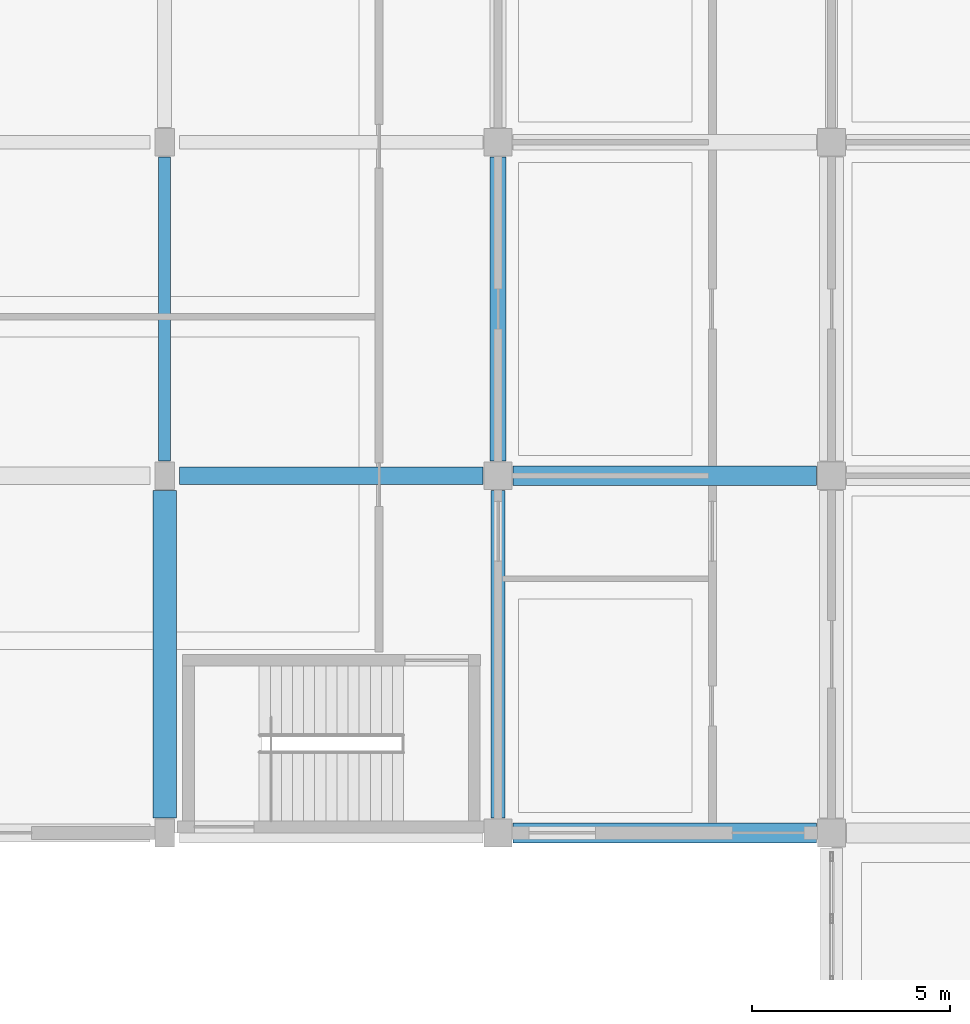
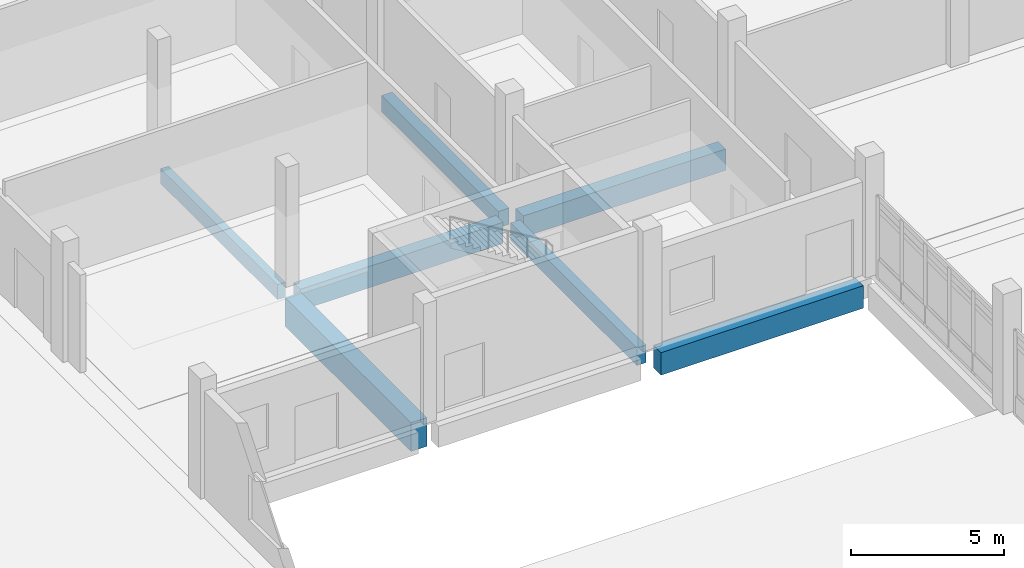
# One storey, part 12 of 95: 7 beams.
"""IFC4 building model written with IfcOpenShell, lengths in metres."""

import ifcopenshell
import ifcopenshell.guid

model = None  # the IFC model being written
_history = None  # IfcOwnerHistory: only IFC2X3 demands one
_inside = {}  # id of a spatial element -> (the spatial element, [elements in it])
_under = {}  # id of a project, library or spatial element -> (it, [spatial elements below it])
_declared = {}  # id of a project -> (the project, [libraries it declares])
_typed = {}  # id of a type object -> (the type object, [elements of that type])
_made_of = {}  # id of a material, layer set ... -> (it, [elements and type objects made of it])


def new_model(schema):
    """Start an empty IFC model of exactly this schema.

    Asked for "IFC4X3", IfcOpenShell would pick the latest addendum, in which some entities
    have other attributes; the version numbers below select the first issue.
    IFC2X3 requires an IfcOwnerHistory on every rooted entity: one is made here for all.
    """
    global model, _history
    if schema == "IFC4X3":
        model = ifcopenshell.file(schema_version=(4, 3, 0, 0))
    else:
        model = ifcopenshell.file(schema=schema)
    _inside.clear()
    _under.clear()
    _declared.clear()
    _typed.clear()
    _made_of.clear()
    _history = None
    if model.schema == "IFC2X3":
        org = make("IfcOrganization", Name="unknown")
        user = make(
            "IfcPersonAndOrganization",
            ThePerson=make("IfcPerson", FamilyName="unknown"),
            TheOrganization=org,
        )
        app = make(
            "IfcApplication",
            ApplicationDeveloper=org,
            Version="unknown",
            ApplicationFullName="unknown",
            ApplicationIdentifier="unknown",
        )
        _history = make(
            "IfcOwnerHistory",
            OwningUser=user,
            OwningApplication=app,
            ChangeAction="ADDED",
            CreationDate=0,
        )
    return model


def make(cls, **values):
    """One entity of the class cls with the attributes given. An attribute that is None is left unset."""
    return model.create_entity(
        cls, **{name: value for name, value in values.items() if value is not None}
    )


def rooted(cls, **values):
    """An entity with a GlobalId (a new one), such as an element, a storey or a relation."""
    return make(cls, GlobalId=ifcopenshell.guid.new(), OwnerHistory=_history, **values)


def si_unit(unit_type, name, prefix=None):
    """IfcSIUnit, for example si_unit("LENGTHUNIT", "METRE", prefix="MILLI")."""
    return make("IfcSIUnit", UnitType=unit_type, Prefix=prefix, Name=name)


def assignment(units):
    """IfcUnitAssignment: the units of a project."""
    return None if units is None else make("IfcUnitAssignment", Units=units)


def point(xyz):
    """IfcCartesianPoint."""
    return None if xyz is None else make("IfcCartesianPoint", Coordinates=xyz)


def direction(xyz):
    """IfcDirection."""
    return None if xyz is None else make("IfcDirection", DirectionRatios=xyz)


def frame(location, z_axis=None, x_axis=None):
    """IfcAxis2Placement3D, a coordinate frame: its origin and axes. An axis left out is left unset."""
    return make(
        "IfcAxis2Placement3D",
        Location=point(location),
        Axis=direction(z_axis),
        RefDirection=direction(x_axis),
    )


def frame_2d(location, x_axis=None):
    """IfcAxis2Placement2D, a coordinate frame in the plane: its origin and x axis."""
    return make(
        "IfcAxis2Placement2D", Location=point(location), RefDirection=direction(x_axis)
    )


def origin():
    """The frame at (0, 0, 0) with its axes left unset."""
    return frame((0.0, 0.0, 0.0))


def origin_2d():
    """The frame at (0, 0) in the plane with its x axis left unset."""
    return frame_2d((0.0, 0.0))


def place(relative_to, where):
    """IfcLocalPlacement: puts the frame where relative to a parent placement (None: the world)."""
    return make(
        "IfcLocalPlacement", PlacementRelTo=relative_to, RelativePlacement=where
    )


def context(
    kind, dimensions, precision=None, world=None, true_north=None, identifier=None
):
    """IfcGeometricRepresentationContext, for example the 3D "Model" context."""
    return make(
        "IfcGeometricRepresentationContext",
        ContextIdentifier=identifier,
        ContextType=kind,
        CoordinateSpaceDimension=dimensions,
        Precision=precision,
        WorldCoordinateSystem=world,
        TrueNorth=true_north,
    )


def subcontext(parent, identifier, kind, view, scale=None):
    """IfcGeometricRepresentationSubContext, for example "Body" below "Model"."""
    return make(
        "IfcGeometricRepresentationSubContext",
        ContextIdentifier=identifier,
        ContextType=kind,
        ParentContext=parent,
        TargetScale=scale,
        TargetView=view,
    )


def project(units=None, contexts=None):
    """IfcProject with its units and contexts."""
    return rooted(
        "IfcProject",
        Name="project",
        RepresentationContexts=contexts,
        UnitsInContext=assignment(units),
    )


def spatial(cls, under=None, at=None, **own):
    """A site, building, storey or space (cls), placed at a placement, below another one or the project."""
    s = rooted(cls, ObjectPlacement=at, **own)
    if under is not None:
        _under.setdefault(under.id(), (under, []))[1].append(s)
    return s


def profile(cls, at=None, kind="AREA", **sizes):
    """A parametric profile (cls). Its sizes go by their IFC names, for example OverallWidth=200.0."""
    return make(cls, ProfileType=kind, Position=at, **sizes)


def rectangle(**sizes):
    """IfcRectangleProfileDef."""
    return profile("IfcRectangleProfileDef", **sizes)


def extrude(swept, where, along, depth):
    """IfcExtrudedAreaSolid: the profile swept, set in the frame where, extruded along a direction by depth."""
    return make(
        "IfcExtrudedAreaSolid",
        SweptArea=swept,
        Position=where,
        ExtrudedDirection=direction(along),
        Depth=depth,
    )


def shape(context_of_items, identifier, shape_type, items):
    """IfcShapeRepresentation: the items that make up one representation, for example the "Body"."""
    return make(
        "IfcShapeRepresentation",
        ContextOfItems=context_of_items,
        RepresentationIdentifier=identifier,
        RepresentationType=shape_type,
        Items=items,
    )


def material(Name=None, Category=None):
    """IfcMaterial."""
    return make("IfcMaterial", Name=Name, Category=Category)


def material_profile(
    of_material, cross_section, Name=None, Category=None, Priority=None
):
    """IfcMaterialProfile: a cross section and its material."""
    return make(
        "IfcMaterialProfile",
        Name=Name,
        Material=of_material,
        Profile=cross_section,
        Priority=Priority,
        Category=Category,
    )


def profile_set(profiles, Name=None, composite=None):
    """IfcMaterialProfileSet."""
    return make(
        "IfcMaterialProfileSet",
        Name=Name,
        MaterialProfiles=profiles,
        CompositeProfile=composite,
    )


def made_of(thing, what):
    """Note that an element or type object is made of a material, layer set ...; save() writes the relation."""
    if what is not None:
        _made_of.setdefault(what.id(), (what, []))[1].append(thing)
    return thing


def type_object(cls, material=None, **own):
    """A type object (cls), such as IfcWallType, which elements share."""
    return made_of(rooted(cls, **own), material)


def element(
    cls,
    number,
    at=None,
    inside=None,
    cuts=None,
    type_object=None,
    material=None,
    context=None,
    identifier="Body",
    shape_type=None,
    held_by="IfcProductDefinitionShape",
    body=None,
    shapes=None,
    **own,
):
    """One element of the class cls, such as IfcWall. Its Tag is "e" and its number.

    at: its placement. inside: the storey or other place that contains it. cuts: it is an
    opening in that element (IfcRelVoidsElement). A single representation is given by context,
    identifier, shape_type and body (its items); several are given by shapes. held_by: the class
    of the entity that holds the representations. save() writes the other relations.
    """
    e = rooted(cls, Tag="e%d" % number, ObjectPlacement=at, **own)
    if body is not None:
        shapes = [shape(context, identifier, shape_type, body)]
    if shapes is not None:
        e.Representation = make(held_by, Representations=shapes)
    if inside is not None:
        _inside.setdefault(inside.id(), (inside, []))[1].append(e)
    if cuts is not None:
        rooted(
            "IfcRelVoidsElement", RelatingBuildingElement=cuts, RelatedOpeningElement=e
        )
    if type_object is not None:
        _typed.setdefault(type_object.id(), (type_object, []))[1].append(e)
    return made_of(e, material)


def aggregate(whole, parts):
    """IfcRelAggregates: a whole, such as a stair, and the parts it consists of."""
    return rooted("IfcRelAggregates", RelatingObject=whole, RelatedObjects=parts)


def save(model, path):
    """Write the relations noted so far, then the file.

    IfcRelAggregates (storeys below a building ...), IfcRelContainedInSpatialStructure (elements
    in a storey), IfcRelDefinesByType, IfcRelAssociatesMaterial and IfcRelDeclares: one each for
    every whole, place, type object, material and project.
    """
    for whole, parts in _under.values():
        aggregate(whole, parts)
    for where, things in _inside.values():
        rooted(
            "IfcRelContainedInSpatialStructure",
            RelatedElements=things,
            RelatingStructure=where,
        )
    for kind, things in _typed.values():
        rooted("IfcRelDefinesByType", RelatedObjects=things, RelatingType=kind)
    for what, things in _made_of.values():
        rooted("IfcRelAssociatesMaterial", RelatedObjects=things, RelatingMaterial=what)
    for by, libraries in _declared.values():
        rooted("IfcRelDeclares", RelatingContext=by, RelatedDefinitions=libraries)
    model.write(path)


model = new_model("IFC4")

# Units and contexts
model_context = context("Model", 3, precision=1e-05, world=origin(), true_north=direction((0.0, 1.0)))
body_context = subcontext(model_context, "Body", "Model", "MODEL_VIEW")
ifc_project = project(units=[si_unit("LENGTHUNIT", "METRE"), si_unit("AREAUNIT", "SQUARE_METRE"), si_unit("VOLUMEUNIT", "CUBIC_METRE"), si_unit("PLANEANGLEUNIT", "RADIAN"), si_unit("MASSUNIT", "GRAM", prefix="KILO")], contexts=[model_context])

# Site, building, storey
site_placement = place(None, origin())
site = spatial("IfcSite", under=ifc_project, at=site_placement, CompositionType="ELEMENT")
building_placement = place(site_placement, origin())
building = spatial("IfcBuilding", under=site, at=building_placement, Name="Vireocrest Preparatory School", CompositionType="ELEMENT")
storey_placement = place(building_placement, origin())
storey = spatial("IfcBuildingStorey", under=building, at=storey_placement, Name="L00", CompositionType="ELEMENT", Elevation=0.0)

# Beams
ifc_material = material(Name="Concrete 40 MPa", Category="concrete")
ifc_material_profile_1 = material_profile(ifc_material, rectangle(XDim=0.300048828125, YDim=0.60009765625, at=origin_2d()), Name="RC 300x600")
ifc_profile_set_1 = profile_set([ifc_material_profile_1], Name="Concrete 40 MPa")
beam_type_1 = type_object("IfcBeamType", Name="RC Classroom Beam 300x600", PredefinedType="BEAM", material=ifc_profile_set_1)
beam_1_placement = place(storey_placement, frame((33.60009765625, 27.375, -0.64990234375), z_axis=(0.0, 1.0, 0.0), x_axis=(-1.0, 0.0, 0.0)))
element("IfcBeam", 1, at=beam_1_placement, inside=storey, type_object=beam_type_1, Name="Primary Girder B03 L00-0140", PredefinedType="BEAM", context=body_context, shape_type="SweptSolid", body=[
    extrude(rectangle(XDim=0.300048828125, YDim=0.60009765625, at=origin_2d()), origin(), (0.0, 0.0, 1.0), 7.64990234375),
])
ifc_material_profile_2 = material_profile(ifc_material, rectangle(XDim=0.449951171875, YDim=0.85009765625, at=origin_2d()), Name="RC 450x850")
ifc_profile_set_2 = profile_set([ifc_material_profile_2], Name="Concrete 40 MPa")
beam_type_2 = type_object("IfcBeamType", Name="RC Heavy Floor Girder 450x850", PredefinedType="BEAM", material=ifc_profile_set_2)
beam_2_placement = place(storey_placement, frame((33.97509765625, 27.0, -0.77490234375), z_axis=(1.0, 0.0, 0.0), x_axis=(0.0, 1.0, 0.0)))
element("IfcBeam", 2, at=beam_2_placement, inside=storey, type_object=beam_type_2, Name="Primary Girder B13 L00-0029", PredefinedType="BEAM", context=body_context, shape_type="SweptSolid", body=[
    extrude(rectangle(XDim=0.449951171875, YDim=0.85009765625, at=origin_2d()), origin(), (0.0, 0.0, 1.0), 7.64990234375),
])
ifc_material_profile_3 = material_profile(ifc_material, rectangle(XDim=0.60009765625, YDim=1.14990234375, at=origin_2d()), Name="RC 600x1150")
ifc_profile_set_3 = profile_set([ifc_material_profile_3], Name="Concrete 40 MPa")
beam_type_3 = type_object("IfcBeamType", Name="RC Heavy Transfer Girder 600x1150", PredefinedType="BEAM", material=ifc_profile_set_3)
beam_3_placement = place(storey_placement, frame((33.60009765625, 18.375, -0.925048828125), z_axis=(0.0, 1.0, 0.0), x_axis=(-1.0, 0.0, 0.0)))
element("IfcBeam", 3, at=beam_3_placement, inside=storey, type_object=beam_type_3, Name="Primary Girder B20 L00-0139", PredefinedType="BEAM", context=body_context, shape_type="SweptSolid", body=[
    extrude(rectangle(XDim=0.60009765625, YDim=1.14990234375, at=origin_2d()), origin(), (0.0, 0.0, 1.0), 8.25),
])
ifc_material_profile_4 = material_profile(ifc_material, rectangle(XDim=0.35009765625, YDim=0.699951171875, at=origin_2d()), Name="RC 350x700")
ifc_profile_set_4 = profile_set([ifc_material_profile_4], Name="Concrete 40 MPa")
beam_type_4 = type_object("IfcBeamType", Name="RC Laboratory Girder 350x700", PredefinedType="BEAM", material=ifc_profile_set_4)
beam_4_placement = place(storey_placement, frame((42.0, 18.375, -0.699951171875), z_axis=(0.0, 1.0, 0.0), x_axis=(-1.0, 0.0, 0.0)))
element("IfcBeam", 4, at=beam_4_placement, inside=storey, type_object=beam_type_4, Name="Primary Girder B06 L00-0143", PredefinedType="BEAM", context=body_context, shape_type="SweptSolid", body=[
    extrude(rectangle(XDim=0.35009765625, YDim=0.699951171875, at=origin_2d()), origin(), (0.0, 0.0, 1.0), 8.25),
])
ifc_material_profile_5 = material_profile(ifc_material, rectangle(XDim=0.39990234375, YDim=0.64990234375, at=origin_2d()), Name="RC 400x650")
ifc_profile_set_5 = profile_set([ifc_material_profile_5], Name="Concrete 40 MPa")
beam_type_5 = type_object("IfcBeamType", Name="RC Laboratory Girder 400x650", PredefinedType="BEAM", material=ifc_profile_set_5)
beam_5_placement = place(storey_placement, frame((42.0, 27.375, -0.675048828125), z_axis=(0.0, 1.0, 0.0), x_axis=(-1.0, 0.0, 0.0)))
element("IfcBeam", 5, at=beam_5_placement, inside=storey, type_object=beam_type_5, Name="Primary Girder B07 L00-0144", PredefinedType="BEAM", context=body_context, shape_type="SweptSolid", body=[
    extrude(rectangle(XDim=0.39990234375, YDim=0.64990234375, at=origin_2d()), origin(), (0.0, 0.0, 1.0), 7.64990234375),
])
ifc_material_profile_6 = material_profile(ifc_material, rectangle(XDim=0.5, YDim=0.85009765625, at=origin_2d()), Name="RC 500x850")
ifc_profile_set_6 = profile_set([ifc_material_profile_6], Name="Concrete 40 MPa")
beam_type_6 = type_object("IfcBeamType", Name="RC Podium Girder 500x850", PredefinedType="BEAM", material=ifc_profile_set_6)
beam_6_placement = place(storey_placement, frame((42.375, 27.0, -0.77490234375), z_axis=(1.0, 0.0, 0.0), x_axis=(0.0, 1.0, 0.0)))
element("IfcBeam", 6, at=beam_6_placement, inside=storey, type_object=beam_type_6, Name="Primary Girder B14 L00-0030", PredefinedType="BEAM", context=body_context, shape_type="SweptSolid", body=[
    extrude(rectangle(XDim=0.5, YDim=0.85009765625, at=origin_2d()), origin(), (0.0, 0.0, 1.0), 7.64990234375),
])
ifc_material_profile_7 = material_profile(ifc_material, rectangle(XDim=0.5, YDim=0.89990234375, at=origin_2d()), Name="RC 500x900")
ifc_profile_set_7 = profile_set([ifc_material_profile_7], Name="Concrete 40 MPa")
beam_type_7 = type_object("IfcBeamType", Name="RC Podium Girder 500x900", PredefinedType="BEAM", material=ifc_profile_set_7)
beam_7_placement = place(storey_placement, frame((42.375, 18.0, -0.800048828125), z_axis=(1.0, 0.0, 0.0), x_axis=(0.0, 1.0, 0.0)))
element("IfcBeam", 7, at=beam_7_placement, inside=storey, type_object=beam_type_7, Name="Primary Girder B15 L00-0013", PredefinedType="BEAM", context=body_context, shape_type="SweptSolid", body=[
    extrude(rectangle(XDim=0.5, YDim=0.89990234375, at=origin_2d()), origin(), (0.0, 0.0, 1.0), 7.64990234375),
])

save(model, "model.ifc")
